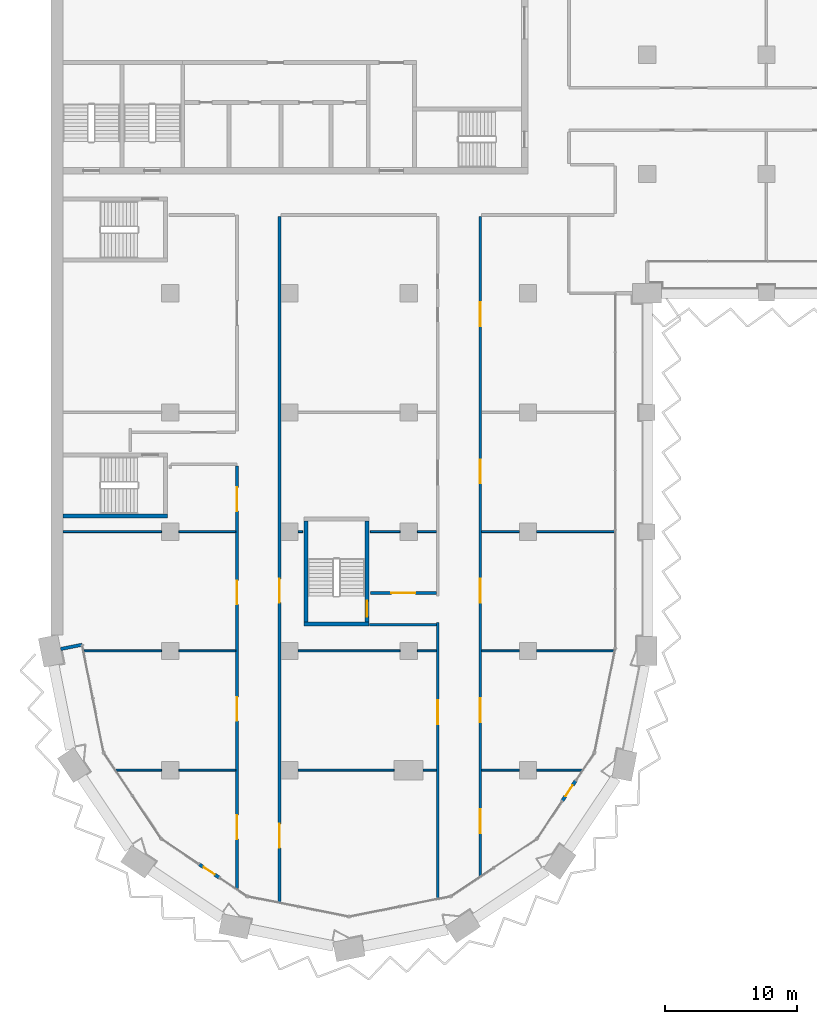
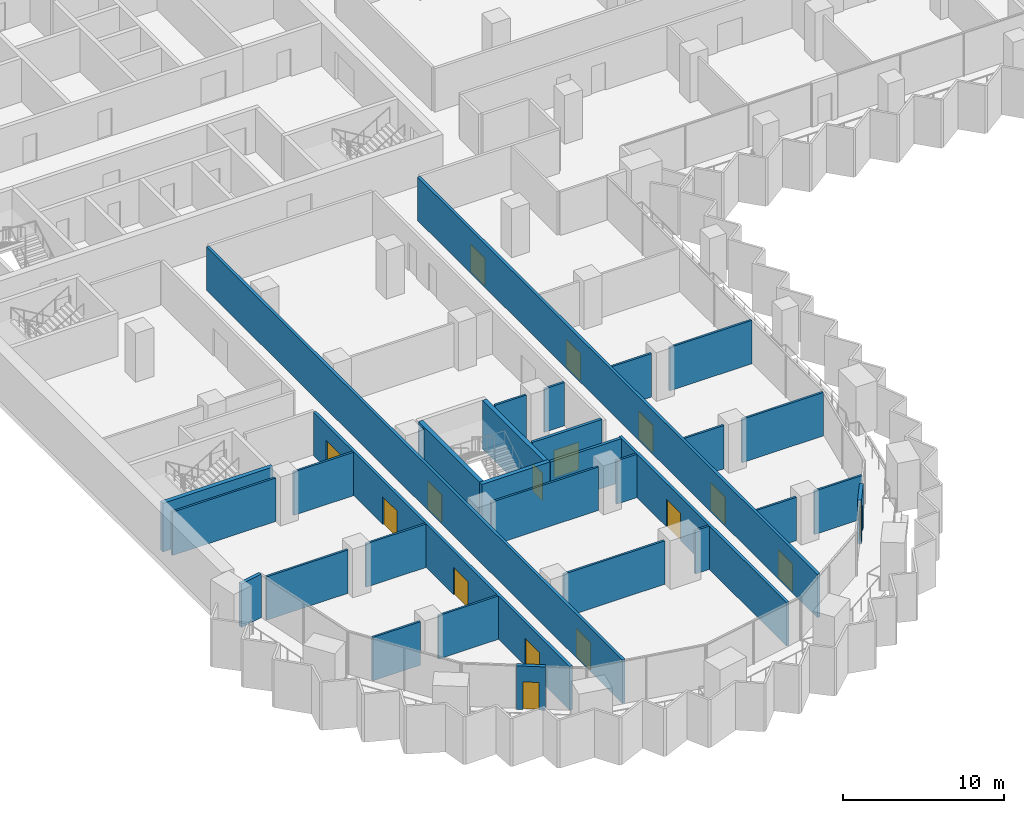
# One storey, part 9 of 22: 32 walls, 16 doors, 16 openings.
"""IFC4 building model written with IfcOpenShell, lengths in metres."""

from ifc_helpers import new_model, si_unit, direction, frame, frame_2d, origin, place, context, subcontext, project, spatial, rectangle, extrude, material, layer, layer_set, type_object, element, fill, save


model = new_model("IFC4")

# Units and contexts
model_context = context("Model", 3, precision=1e-05, world=origin(), true_north=direction((0.0, 1.0)))
body_context = subcontext(model_context, "Body", "Model", "MODEL_VIEW")
ifc_project = project(units=[si_unit("LENGTHUNIT", "METRE"), si_unit("AREAUNIT", "SQUARE_METRE"), si_unit("VOLUMEUNIT", "CUBIC_METRE"), si_unit("PLANEANGLEUNIT", "RADIAN"), si_unit("MASSUNIT", "GRAM", prefix="KILO")], contexts=[model_context])

# Site, building, storey
site_placement = place(None, origin())
site = spatial("IfcSite", under=ifc_project, at=site_placement, CompositionType="ELEMENT")
building_placement = place(site_placement, origin())
building = spatial("IfcBuilding", under=site, at=building_placement, Name="Hunhe Ridgeline Campus", CompositionType="ELEMENT")
storey_placement = place(building_placement, frame((0.0, 0.0, 118.10009765625)))
storey = spatial("IfcBuildingStorey", under=building, at=storey_placement, Name="L29", CompositionType="ELEMENT", Elevation=118.10009765625)

# Walls
ifc_material_1 = material(Name="Concrete C30", Category="concrete")
ifc_layer_1 = layer(ifc_material_1, 0.25)
ifc_layer_set_1 = layer_set([ifc_layer_1], Name="Corner return wall 250 Concrete C30")
wall_type_1 = type_object("IfcWallType", Name="Corner return wall 250 Concrete C30", PredefinedType="SOLIDWALL", material=ifc_layer_set_1)
wall_1_placement = place(storey_placement, frame((0.7353515625, 27.14697265625, 0.0), z_axis=(0.0, 0.0, 1.0), x_axis=(0.980824468215, 0.194893208067, 0.0)))
element("IfcWall", 1, at=wall_1_placement, inside=storey, type_object=wall_type_1, Name="Corner return wall 1", PredefinedType="SOLIDWALL", context=body_context, shape_type="SweptSolid", body=[
    extrude(rectangle(XDim=1.651123046875, YDim=0.25, at=frame_2d((0.82568359375, 0.0))), origin(), (0.0, 0.0, 1.0), 3.2998046875),
])
ifc_material_2 = material(Name="Gypsum board partition")
ifc_layer_2 = layer(ifc_material_2, 0.199951171875)
ifc_layer_set_2 = layer_set([ifc_layer_2], Name="Corridor partition 200 gypsum board on steel studs")
wall_type_2 = type_object("IfcWallType", Name="Corridor partition 200 gypsum board on steel studs", PredefinedType="PARTITIONING", material=ifc_layer_set_2)
wall_2_placement = place(storey_placement, frame((29.10009765625, 28.97509765625, 0.0), z_axis=(0.0, 0.0, 1.0), x_axis=(-1.0, 0.0, 0.0)))
element("IfcWall", 2, at=wall_2_placement, inside=storey, type_object=wall_type_2, Name="F-L29-wall-013", PredefinedType="PARTITIONING", context=body_context, shape_type="SweptSolid", body=[
    extrude(rectangle(XDim=5.070068359375, YDim=0.199951171875, at=frame_2d((2.53515625, 0.0))), origin(), (0.0, 0.0, 1.0), 3.2998046875),
])

# Wall, opening, door
wall_3_placement = place(storey_placement, frame((24.10400390625, 31.375, 0.0), z_axis=(0.0, 0.0, 1.0), x_axis=(1.0, 0.0, 0.0)))
wall_3 = element("IfcWall", 3, at=wall_3_placement, inside=storey, type_object=wall_type_2, Name="F-L29-wall-014", PredefinedType="PARTITIONING", context=body_context, shape_type="SweptSolid", body=[
    extrude(rectangle(XDim=4.99609375, YDim=0.199951171875, at=frame_2d((2.498046875, 0.0))), origin(), (0.0, 0.0, 1.0), 3.2998046875),
])
opening_1_placement = place(wall_3_placement, frame((1.597900390625, 0.0, 0.0)))
opening_1 = element("IfcOpeningElement", 4, at=opening_1_placement, cuts=wall_3, Name="Opening RD2-008", PredefinedType="OPENING", context=body_context, shape_type="SweptSolid", body=[
    extrude(rectangle(XDim=1.800048828125, YDim=2.10009765625, at=frame_2d((0.89990234375, 1.050048828125))), frame((0.0, 0.10009765625, 0.0), z_axis=(0.0, -1.0, 0.0), x_axis=(1.0, 0.0, 0.0)), (0.0, 0.0, 1.0), 0.199951171875),
])
ifc_material_3 = material(Name="Timber door leaf", Category="wood")
door_type_1 = type_object("IfcDoorType", Name="Double fire door 1800x2100 timber FD60", OperationType="DOUBLE_DOOR_SINGLE_SWING", PredefinedType="DOOR", material=ifc_material_3)
door_1_placement = place(opening_1_placement, origin())
door_1 = element("IfcDoor", 5, at=door_1_placement, inside=storey, type_object=door_type_1, Name="F-L29-door-008", OperationType="DOUBLE_DOOR_SINGLE_SWING", OverallHeight=2.10009765625, OverallWidth=1.800048828125, PredefinedType="DOOR", context=body_context, shape_type="SweptSolid", body=[
    extrude(rectangle(XDim=1.800048828125, YDim=2.10009765625, at=frame_2d((0.89990234375, 1.050048828125))), frame((0.0, 0.02490234375, 0.0), z_axis=(0.0, -1.0, 0.0), x_axis=(1.0, 0.0, 0.0)), (0.0, 0.0, 1.0), 0.050048828125),
])
fill(opening_1, door_1)

# Wall, openings, doors
wall_4_placement = place(storey_placement, frame((14.050048828125, 9.05810546875, 0.0), z_axis=(0.0, 0.0, 1.0), x_axis=(0.0, 1.0, 0.0)))
wall_4 = element("IfcWall", 6, at=wall_4_placement, inside=storey, type_object=wall_type_2, Name="F-L29-wall-043", PredefinedType="PARTITIONING", context=body_context, shape_type="SweptSolid", body=[
    extrude(rectangle(XDim=31.90087890625, YDim=0.199951171875, at=frame_2d((15.950439453125, 0.0))), origin(), (0.0, 0.0, 1.0), 3.2998046875),
])
opening_2_placement = place(wall_4_placement, frame((3.7470703125, 0.0, 0.0)))
opening_2 = element("IfcOpeningElement", 7, at=opening_2_placement, cuts=wall_4, Name="Opening RD2-002", PredefinedType="OPENING", context=body_context, shape_type="SweptSolid", body=[
    extrude(rectangle(XDim=1.800048828125, YDim=2.10009765625, at=frame_2d((0.89990234375, 1.050048828125))), frame((0.0, 0.10009765625, 0.0), z_axis=(0.0, -1.0, 0.0), x_axis=(1.0, 0.0, 0.0)), (0.0, 0.0, 1.0), 0.199951171875),
])
opening_3_placement = place(wall_4_placement, frame((12.6640625, 0.0, 0.0)))
opening_3 = element("IfcOpeningElement", 8, at=opening_3_placement, cuts=wall_4, Name="Opening RD2-006", PredefinedType="OPENING", context=body_context, shape_type="SweptSolid", body=[
    extrude(rectangle(XDim=1.800048828125, YDim=2.10009765625, at=frame_2d((0.89990234375, 1.050048828125))), frame((0.0, 0.10009765625, 0.0), z_axis=(0.0, -1.0, 0.0), x_axis=(1.0, 0.0, 0.0)), (0.0, 0.0, 1.0), 0.199951171875),
])
opening_4_placement = place(wall_4_placement, frame((21.455810546875, 0.0, 0.0)))
opening_4 = element("IfcOpeningElement", 9, at=opening_4_placement, cuts=wall_4, Name="Opening RD2-007", PredefinedType="OPENING", context=body_context, shape_type="SweptSolid", body=[
    extrude(rectangle(XDim=1.800048828125, YDim=2.10009765625, at=frame_2d((0.89990234375, 1.050048828125))), frame((0.0, 0.10009765625, 0.0), z_axis=(0.0, -1.0, 0.0), x_axis=(1.0, 0.0, 0.0)), (0.0, 0.0, 1.0), 0.199951171875),
])
opening_5_placement = place(wall_4_placement, frame((28.489013671875, 0.0, 0.0)))
opening_5 = element("IfcOpeningElement", 10, at=opening_5_placement, cuts=wall_4, Name="Opening RD2-011", PredefinedType="OPENING", context=body_context, shape_type="SweptSolid", body=[
    extrude(rectangle(XDim=1.800048828125, YDim=2.10009765625, at=frame_2d((0.89990234375, 1.050048828125))), frame((0.0, 0.10009765625, 0.0), z_axis=(0.0, -1.0, 0.0), x_axis=(1.0, 0.0, 0.0)), (0.0, 0.0, 1.0), 0.199951171875),
])
door_2_placement = place(opening_2_placement, origin())
door_2 = element("IfcDoor", 11, at=door_2_placement, inside=storey, type_object=door_type_1, Name="F-L29-door-002", OperationType="DOUBLE_DOOR_SINGLE_SWING", OverallHeight=2.10009765625, OverallWidth=1.800048828125, PredefinedType="DOOR", context=body_context, shape_type="SweptSolid", body=[
    extrude(rectangle(XDim=1.800048828125, YDim=2.10009765625, at=frame_2d((0.89990234375, 1.050048828125))), frame((0.0, 0.02490234375, 0.0), z_axis=(0.0, -1.0, 0.0), x_axis=(1.0, 0.0, 0.0)), (0.0, 0.0, 1.0), 0.050048828125),
])
fill(opening_2, door_2)
door_3_placement = place(opening_3_placement, origin())
door_3 = element("IfcDoor", 12, at=door_3_placement, inside=storey, type_object=door_type_1, Name="F-L29-door-006", OperationType="DOUBLE_DOOR_SINGLE_SWING", OverallHeight=2.10009765625, OverallWidth=1.800048828125, PredefinedType="DOOR", context=body_context, shape_type="SweptSolid", body=[
    extrude(rectangle(XDim=1.800048828125, YDim=2.10009765625, at=frame_2d((0.89990234375, 1.050048828125))), frame((0.0, 0.02490234375, 0.0), z_axis=(0.0, -1.0, 0.0), x_axis=(1.0, 0.0, 0.0)), (0.0, 0.0, 1.0), 0.050048828125),
])
fill(opening_3, door_3)
door_4_placement = place(opening_4_placement, origin())
door_4 = element("IfcDoor", 13, at=door_4_placement, inside=storey, type_object=door_type_1, Name="F-L29-door-007", OperationType="DOUBLE_DOOR_SINGLE_SWING", OverallHeight=2.10009765625, OverallWidth=1.800048828125, PredefinedType="DOOR", context=body_context, shape_type="SweptSolid", body=[
    extrude(rectangle(XDim=1.800048828125, YDim=2.10009765625, at=frame_2d((0.89990234375, 1.050048828125))), frame((0.0, 0.02490234375, 0.0), z_axis=(0.0, -1.0, 0.0), x_axis=(1.0, 0.0, 0.0)), (0.0, 0.0, 1.0), 0.050048828125),
])
fill(opening_4, door_4)
door_5_placement = place(opening_5_placement, origin())
door_5 = element("IfcDoor", 14, at=door_5_placement, inside=storey, type_object=door_type_1, Name="F-L29-door-011", OperationType="DOUBLE_DOOR_SINGLE_SWING", OverallHeight=2.10009765625, OverallWidth=1.800048828125, PredefinedType="DOOR", context=body_context, shape_type="SweptSolid", body=[
    extrude(rectangle(XDim=1.800048828125, YDim=2.10009765625, at=frame_2d((0.89990234375, 1.050048828125))), frame((0.0, 0.02490234375, 0.0), z_axis=(0.0, -1.0, 0.0), x_axis=(1.0, 0.0, 0.0)), (0.0, 0.0, 1.0), 0.050048828125),
])
fill(opening_5, door_5)

wall_5_placement = place(storey_placement, frame((17.25, 59.800048828125, 0.0), z_axis=(0.0, 0.0, 1.0), x_axis=(0.0, -1.0, 0.0)))
wall_5 = element("IfcWall", 15, at=wall_5_placement, inside=storey, type_object=wall_type_2, Name="F-L29-wall-045", PredefinedType="PARTITIONING", context=body_context, shape_type="SweptSolid", body=[
    extrude(rectangle(XDim=51.752685546875, YDim=0.199951171875, at=frame_2d((25.87646484375, 0.0))), origin(), (0.0, 0.0, 1.0), 3.2998046875),
])
opening_6_placement = place(wall_5_placement, frame((45.852294921875, 0.0, 0.0)))
opening_6 = element("IfcOpeningElement", 16, at=opening_6_placement, cuts=wall_5, Name="Opening RD2-001", PredefinedType="OPENING", context=body_context, shape_type="SweptSolid", body=[
    extrude(rectangle(XDim=1.800048828125, YDim=2.10009765625, at=frame_2d((0.89990234375, 1.050048828125))), frame((0.0, 0.10009765625, 0.0), z_axis=(0.0, -1.0, 0.0), x_axis=(1.0, 0.0, 0.0)), (0.0, 0.0, 1.0), 0.199951171875),
])
opening_7_placement = place(wall_5_placement, frame((27.351318359375, 0.0, 0.0)))
opening_7 = element("IfcOpeningElement", 17, at=opening_7_placement, cuts=wall_5, Name="Opening RD2-009", PredefinedType="OPENING", context=body_context, shape_type="SweptSolid", body=[
    extrude(rectangle(XDim=1.800048828125, YDim=2.10009765625, at=frame_2d((0.89990234375, 1.050048828125))), frame((0.0, 0.10009765625, 0.0), z_axis=(0.0, -1.0, 0.0), x_axis=(1.0, 0.0, 0.0)), (0.0, 0.0, 1.0), 0.199951171875),
])
door_6_placement = place(opening_6_placement, origin())
door_6 = element("IfcDoor", 18, at=door_6_placement, inside=storey, type_object=door_type_1, Name="F-L29-door-001", OperationType="DOUBLE_DOOR_SINGLE_SWING", OverallHeight=2.10009765625, OverallWidth=1.800048828125, PredefinedType="DOOR", context=body_context, shape_type="SweptSolid", body=[
    extrude(rectangle(XDim=1.800048828125, YDim=2.10009765625, at=frame_2d((0.89990234375, 1.050048828125))), frame((0.0, 0.02490234375, 0.0), z_axis=(0.0, -1.0, 0.0), x_axis=(1.0, 0.0, 0.0)), (0.0, 0.0, 1.0), 0.050048828125),
])
fill(opening_6, door_6)
door_7_placement = place(opening_7_placement, origin())
door_7 = element("IfcDoor", 19, at=door_7_placement, inside=storey, type_object=door_type_1, Name="F-L29-door-009", OperationType="DOUBLE_DOOR_SINGLE_SWING", OverallHeight=2.10009765625, OverallWidth=1.800048828125, PredefinedType="DOOR", context=body_context, shape_type="SweptSolid", body=[
    extrude(rectangle(XDim=1.800048828125, YDim=2.10009765625, at=frame_2d((0.89990234375, 1.050048828125))), frame((0.0, 0.02490234375, 0.0), z_axis=(0.0, -1.0, 0.0), x_axis=(1.0, 0.0, 0.0)), (0.0, 0.0, 1.0), 0.050048828125),
])
fill(opening_7, door_7)

# Wall, opening, door
wall_6_placement = place(storey_placement, frame((29.199951171875, 8.335693359375, 0.0), z_axis=(0.0, 0.0, 1.0), x_axis=(0.0, 1.0, 0.0)))
wall_6 = element("IfcWall", 20, at=wall_6_placement, inside=storey, type_object=wall_type_2, Name="F-L29-wall-046", PredefinedType="PARTITIONING", context=body_context, shape_type="SweptSolid", body=[
    extrude(rectangle(XDim=20.82421875, YDim=0.199951171875, at=frame_2d((10.412109375, 0.0))), origin(), (0.0, 0.0, 1.0), 3.2998046875),
])
opening_8_placement = place(wall_6_placement, frame((13.14990234375, 0.0, 0.0)))
opening_8 = element("IfcOpeningElement", 21, at=opening_8_placement, cuts=wall_6, Name="Opening RD2-004", PredefinedType="OPENING", context=body_context, shape_type="SweptSolid", body=[
    extrude(rectangle(XDim=1.800048828125, YDim=2.10009765625, at=frame_2d((0.89990234375, 1.050048828125))), frame((0.0, 0.10009765625, 0.0), z_axis=(0.0, -1.0, 0.0), x_axis=(1.0, 0.0, 0.0)), (0.0, 0.0, 1.0), 0.199951171875),
])
door_8_placement = place(opening_8_placement, origin())
door_8 = element("IfcDoor", 22, at=door_8_placement, inside=storey, type_object=door_type_1, Name="F-L29-door-004", OperationType="DOUBLE_DOOR_SINGLE_SWING", OverallHeight=2.10009765625, OverallWidth=1.800048828125, PredefinedType="DOOR", context=body_context, shape_type="SweptSolid", body=[
    extrude(rectangle(XDim=1.800048828125, YDim=2.10009765625, at=frame_2d((0.89990234375, 1.050048828125))), frame((0.0, 0.02490234375, 0.0), z_axis=(0.0, -1.0, 0.0), x_axis=(1.0, 0.0, 0.0)), (0.0, 0.0, 1.0), 0.050048828125),
])
fill(opening_8, door_8)

# Wall, openings, doors
wall_7_placement = place(storey_placement, frame((32.39990234375, 59.800048828125, 0.0), z_axis=(0.0, 0.0, 1.0), x_axis=(0.0, -1.0, 0.0)))
wall_7 = element("IfcWall", 23, at=wall_7_placement, inside=storey, type_object=wall_type_2, Name="F-L29-wall-048", PredefinedType="PARTITIONING", context=body_context, shape_type="SweptSolid", body=[
    extrude(rectangle(XDim=49.77294921875, YDim=0.199951171875, at=frame_2d((24.886474609375, 0.0))), origin(), (0.0, 0.0, 1.0), 3.2998046875),
])
opening_9_placement = place(wall_7_placement, frame((44.74609375, 0.0, 0.0)))
opening_9 = element("IfcOpeningElement", 24, at=opening_9_placement, cuts=wall_7, Name="Opening RD2-003", PredefinedType="OPENING", context=body_context, shape_type="SweptSolid", body=[
    extrude(rectangle(XDim=1.800048828125, YDim=2.10009765625, at=frame_2d((0.89990234375, 1.050048828125))), frame((0.0, 0.10009765625, 0.0), z_axis=(0.0, -1.0, 0.0), x_axis=(1.0, 0.0, 0.0)), (0.0, 0.0, 1.0), 0.199951171875),
])
opening_10_placement = place(wall_7_placement, frame((36.3671875, 0.0, 0.0)))
opening_10 = element("IfcOpeningElement", 25, at=opening_10_placement, cuts=wall_7, Name="Opening RD2-005", PredefinedType="OPENING", context=body_context, shape_type="SweptSolid", body=[
    extrude(rectangle(XDim=1.800048828125, YDim=2.10009765625, at=frame_2d((0.89990234375, 1.050048828125))), frame((0.0, 0.10009765625, 0.0), z_axis=(0.0, -1.0, 0.0), x_axis=(1.0, 0.0, 0.0)), (0.0, 0.0, 1.0), 0.199951171875),
])
opening_11_placement = place(wall_7_placement, frame((27.363037109375, 0.0, 0.0)))
opening_11 = element("IfcOpeningElement", 26, at=opening_11_placement, cuts=wall_7, Name="Opening RD2-010", PredefinedType="OPENING", context=body_context, shape_type="SweptSolid", body=[
    extrude(rectangle(XDim=1.800048828125, YDim=2.10009765625, at=frame_2d((0.89990234375, 1.050048828125))), frame((0.0, 0.10009765625, 0.0), z_axis=(0.0, -1.0, 0.0), x_axis=(1.0, 0.0, 0.0)), (0.0, 0.0, 1.0), 0.199951171875),
])
opening_12_placement = place(wall_7_placement, frame((18.35888671875, 0.0, 0.0)))
opening_12 = element("IfcOpeningElement", 27, at=opening_12_placement, cuts=wall_7, Name="Opening RD2-013", PredefinedType="OPENING", context=body_context, shape_type="SweptSolid", body=[
    extrude(rectangle(XDim=1.800048828125, YDim=2.10009765625, at=frame_2d((0.89990234375, 1.050048828125))), frame((0.0, 0.10009765625, 0.0), z_axis=(0.0, -1.0, 0.0), x_axis=(1.0, 0.0, 0.0)), (0.0, 0.0, 1.0), 0.199951171875),
])
opening_13_placement = place(wall_7_placement, frame((6.478515625, 0.0, 0.0)))
opening_13 = element("IfcOpeningElement", 28, at=opening_13_placement, cuts=wall_7, Name="Opening RD2-016", PredefinedType="OPENING", context=body_context, shape_type="SweptSolid", body=[
    extrude(rectangle(XDim=1.800048828125, YDim=2.10009765625, at=frame_2d((0.89990234375, 1.050048828125))), frame((0.0, 0.10009765625, 0.0), z_axis=(0.0, -1.0, 0.0), x_axis=(1.0, 0.0, 0.0)), (0.0, 0.0, 1.0), 0.199951171875),
])
door_9_placement = place(opening_9_placement, origin())
door_9 = element("IfcDoor", 29, at=door_9_placement, inside=storey, type_object=door_type_1, Name="F-L29-door-003", OperationType="DOUBLE_DOOR_SINGLE_SWING", OverallHeight=2.10009765625, OverallWidth=1.800048828125, PredefinedType="DOOR", context=body_context, shape_type="SweptSolid", body=[
    extrude(rectangle(XDim=1.800048828125, YDim=2.10009765625, at=frame_2d((0.89990234375, 1.050048828125))), frame((0.0, 0.02490234375, 0.0), z_axis=(0.0, -1.0, 0.0), x_axis=(1.0, 0.0, 0.0)), (0.0, 0.0, 1.0), 0.050048828125),
])
fill(opening_9, door_9)
door_10_placement = place(opening_10_placement, origin())
door_10 = element("IfcDoor", 30, at=door_10_placement, inside=storey, type_object=door_type_1, Name="F-L29-door-005", OperationType="DOUBLE_DOOR_SINGLE_SWING", OverallHeight=2.10009765625, OverallWidth=1.800048828125, PredefinedType="DOOR", context=body_context, shape_type="SweptSolid", body=[
    extrude(rectangle(XDim=1.800048828125, YDim=2.10009765625, at=frame_2d((0.89990234375, 1.050048828125))), frame((0.0, 0.02490234375, 0.0), z_axis=(0.0, -1.0, 0.0), x_axis=(1.0, 0.0, 0.0)), (0.0, 0.0, 1.0), 0.050048828125),
])
fill(opening_10, door_10)
door_11_placement = place(opening_11_placement, origin())
door_11 = element("IfcDoor", 31, at=door_11_placement, inside=storey, type_object=door_type_1, Name="F-L29-door-010", OperationType="DOUBLE_DOOR_SINGLE_SWING", OverallHeight=2.10009765625, OverallWidth=1.800048828125, PredefinedType="DOOR", context=body_context, shape_type="SweptSolid", body=[
    extrude(rectangle(XDim=1.800048828125, YDim=2.10009765625, at=frame_2d((0.89990234375, 1.050048828125))), frame((0.0, 0.02490234375, 0.0), z_axis=(0.0, -1.0, 0.0), x_axis=(1.0, 0.0, 0.0)), (0.0, 0.0, 1.0), 0.050048828125),
])
fill(opening_11, door_11)
door_12_placement = place(opening_12_placement, origin())
door_12 = element("IfcDoor", 32, at=door_12_placement, inside=storey, type_object=door_type_1, Name="F-L29-door-013", OperationType="DOUBLE_DOOR_SINGLE_SWING", OverallHeight=2.10009765625, OverallWidth=1.800048828125, PredefinedType="DOOR", context=body_context, shape_type="SweptSolid", body=[
    extrude(rectangle(XDim=1.800048828125, YDim=2.10009765625, at=frame_2d((0.89990234375, 1.050048828125))), frame((0.0, 0.02490234375, 0.0), z_axis=(0.0, -1.0, 0.0), x_axis=(1.0, 0.0, 0.0)), (0.0, 0.0, 1.0), 0.050048828125),
])
fill(opening_12, door_12)
door_13_placement = place(opening_13_placement, origin())
door_13 = element("IfcDoor", 33, at=door_13_placement, inside=storey, type_object=door_type_1, Name="F-L29-door-016", OperationType="DOUBLE_DOOR_SINGLE_SWING", OverallHeight=2.10009765625, OverallWidth=1.800048828125, PredefinedType="DOOR", context=body_context, shape_type="SweptSolid", body=[
    extrude(rectangle(XDim=1.800048828125, YDim=2.10009765625, at=frame_2d((0.89990234375, 1.050048828125))), frame((0.0, 0.02490234375, 0.0), z_axis=(0.0, -1.0, 0.0), x_axis=(1.0, 0.0, 0.0)), (0.0, 0.0, 1.0), 0.050048828125),
])
fill(opening_13, door_13)

# Wall, opening, door
ifc_layer_3 = layer(ifc_material_1, 0.25)
ifc_layer_set_3 = layer_set([ifc_layer_3], Name="Loggia door pier wall 250 Concrete C30")
wall_type_3 = type_object("IfcWallType", Name="Loggia door pier wall 250 Concrete C30", PredefinedType="SOLIDWALL", material=ifc_layer_set_3)
wall_8_placement = place(storey_placement, frame((11.19970703125, 10.897705078125, 0.0), z_axis=(0.0, 0.0, 1.0), x_axis=(0.83146554274, -0.555576323502, 0.0)))
wall_8 = element("IfcWall", 34, at=wall_8_placement, inside=storey, type_object=wall_type_3, Name="Loggia door pier 1", PredefinedType="SOLIDWALL", context=body_context, shape_type="SweptSolid", body=[
    extrude(rectangle(XDim=1.800048828125, YDim=0.25, at=frame_2d((0.89990234375, 0.0))), origin(), (0.0, 0.0, 1.0), 3.2998046875),
])
opening_14_placement = place(wall_8_placement, frame((0.39990234375, 0.0, 0.0)))
opening_14 = element("IfcOpeningElement", 35, at=opening_14_placement, cuts=wall_8, Name="Opening BD202", PredefinedType="OPENING", context=body_context, shape_type="SweptSolid", body=[
    extrude(rectangle(XDim=1.0, YDim=2.10009765625, at=frame_2d((0.5, 1.050048828125))), frame((0.0, 0.125, 0.0), z_axis=(0.0, -1.0, 0.0), x_axis=(1.0, 0.0, 0.0)), (0.0, 0.0, 1.0), 0.25),
])
ifc_material_4 = material(Name="Aluminium 6063", Category="aluminium")
door_type_2 = type_object("IfcDoorType", Name="Loggia glazed door 1000x2100", OperationType="NOTDEFINED", PredefinedType="DOOR", material=ifc_material_4)
door_14_placement = place(opening_14_placement, frame((1.0, 0.0, 0.0), z_axis=(0.0, 0.0, 1.0), x_axis=(-1.0, 0.0, 0.0)))
door_14 = element("IfcDoor", 36, at=door_14_placement, inside=storey, type_object=door_type_2, Name="Loggia door BD202", OperationType="SINGLE_SWING_LEFT", OverallHeight=2.10009765625, OverallWidth=1.0, PredefinedType="DOOR", context=body_context, shape_type="SweptSolid", body=[
    extrude(rectangle(XDim=1.0, YDim=2.10009765625, at=frame_2d((0.5, 1.050048828125))), frame((0.0, 0.02490234375, 0.0), z_axis=(0.0, -1.0, 0.0), x_axis=(1.0, 0.0, 0.0)), (0.0, 0.0, 1.0), 0.050048828125),
])
fill(opening_14, door_14)

wall_9_placement = place(storey_placement, frame((38.602294921875, 15.69970703125, 0.0), z_axis=(0.0, 0.0, 1.0), x_axis=(0.555576323502, 0.83146554274, 0.0)))
wall_9 = element("IfcWall", 37, at=wall_9_placement, inside=storey, type_object=wall_type_3, Name="Loggia door pier 2", PredefinedType="SOLIDWALL", context=body_context, shape_type="SweptSolid", body=[
    extrude(rectangle(XDim=1.800048828125, YDim=0.25, at=frame_2d((0.89990234375, 0.0))), origin(), (0.0, 0.0, 1.0), 3.2998046875),
])
opening_15_placement = place(wall_9_placement, frame((0.39990234375, 0.0, 0.0)))
opening_15 = element("IfcOpeningElement", 38, at=opening_15_placement, cuts=wall_9, Name="Opening BD204", PredefinedType="OPENING", context=body_context, shape_type="SweptSolid", body=[
    extrude(rectangle(XDim=1.0, YDim=2.10009765625, at=frame_2d((0.5, 1.050048828125))), frame((0.0, 0.125, 0.0), z_axis=(0.0, -1.0, 0.0), x_axis=(1.0, 0.0, 0.0)), (0.0, 0.0, 1.0), 0.25),
])
door_15_placement = place(opening_15_placement, frame((1.0, 0.0, 0.0), z_axis=(0.0, 0.0, 1.0), x_axis=(-1.0, 0.0, 0.0)))
door_15 = element("IfcDoor", 39, at=door_15_placement, inside=storey, type_object=door_type_2, Name="Loggia door BD204", OperationType="SINGLE_SWING_LEFT", OverallHeight=2.10009765625, OverallWidth=1.0, PredefinedType="DOOR", context=body_context, shape_type="SweptSolid", body=[
    extrude(rectangle(XDim=1.0, YDim=2.10009765625, at=frame_2d((0.5, 1.050048828125))), frame((0.0, 0.02490234375, 0.0), z_axis=(0.0, -1.0, 0.0), x_axis=(1.0, 0.0, 0.0)), (0.0, 0.0, 1.0), 0.050048828125),
])
fill(opening_15, door_15)

# Walls
ifc_layer_4 = layer(ifc_material_2, 0.14990234375)
ifc_layer_set_4 = layer_set([ifc_layer_4], Name="Room partition 150 gypsum board on steel studs")
wall_type_4 = type_object("IfcWallType", Name="Room partition 150 gypsum board on steel studs", PredefinedType="PARTITIONING", material=ifc_layer_set_4)
wall_10_placement = place(storey_placement, frame((4.925537109375, 18.0, 0.0), z_axis=(0.0, 0.0, 1.0), x_axis=(1.0, 0.0, 0.0)))
element("IfcWall", 40, at=wall_10_placement, inside=storey, type_object=wall_type_4, Name="F-L29-wall-001", PredefinedType="PARTITIONING", context=body_context, shape_type="SweptSolid", body=[
    extrude(rectangle(XDim=3.424560546875, YDim=0.14990234375, at=frame_2d((1.71240234375, 0.0))), origin(), (0.0, 0.0, 1.0), 3.2998046875),
])
wall_11_placement = place(storey_placement, frame((9.64990234375, 18.0, 0.0), z_axis=(0.0, 0.0, 1.0), x_axis=(1.0, 0.0, 0.0)))
element("IfcWall", 41, at=wall_11_placement, inside=storey, type_object=wall_type_4, Name="F-L29-wall-002", PredefinedType="PARTITIONING", context=body_context, shape_type="SweptSolid", body=[
    extrude(rectangle(XDim=4.300048828125, YDim=0.14990234375, at=frame_2d((2.14990234375, 0.0))), origin(), (0.0, 0.0, 1.0), 3.2998046875),
])
wall_12_placement = place(storey_placement, frame((18.64990234375, 18.0, 0.0), z_axis=(0.0, 0.0, 1.0), x_axis=(1.0, 0.0, 0.0)))
element("IfcWall", 42, at=wall_12_placement, inside=storey, type_object=wall_type_4, Name="F-L29-wall-003", PredefinedType="PARTITIONING", context=body_context, shape_type="SweptSolid", body=[
    extrude(rectangle(XDim=7.25, YDim=0.14990234375, at=frame_2d((3.625, 0.0))), origin(), (0.0, 0.0, 1.0), 3.2998046875),
])
wall_13_placement = place(storey_placement, frame((28.10009765625, 18.0, 0.0), z_axis=(0.0, 0.0, 1.0), x_axis=(1.0, 0.0, 0.0)))
element("IfcWall", 43, at=wall_13_placement, inside=storey, type_object=wall_type_4, Name="F-L29-wall-004", PredefinedType="PARTITIONING", context=body_context, shape_type="SweptSolid", body=[
    extrude(rectangle(XDim=1.0, YDim=0.14990234375, at=frame_2d((0.5, 0.0))), origin(), (0.0, 0.0, 1.0), 3.2998046875),
])
wall_14_placement = place(storey_placement, frame((32.5, 18.0, 0.0), z_axis=(0.0, 0.0, 1.0), x_axis=(1.0, 0.0, 0.0)))
element("IfcWall", 44, at=wall_14_placement, inside=storey, type_object=wall_type_4, Name="F-L29-wall-005", PredefinedType="PARTITIONING", context=body_context, shape_type="SweptSolid", body=[
    extrude(rectangle(XDim=2.85009765625, YDim=0.14990234375, at=frame_2d((1.425048828125, 0.0))), origin(), (0.0, 0.0, 1.0), 3.2998046875),
])
wall_15_placement = place(storey_placement, frame((36.64990234375, 18.0, 0.0), z_axis=(0.0, 0.0, 1.0), x_axis=(1.0, 0.0, 0.0)))
element("IfcWall", 45, at=wall_15_placement, inside=storey, type_object=wall_type_4, Name="F-L29-wall-006", PredefinedType="PARTITIONING", context=body_context, shape_type="SweptSolid", body=[
    extrude(rectangle(XDim=3.424560546875, YDim=0.14990234375, at=frame_2d((1.71240234375, 0.0))), origin(), (0.0, 0.0, 1.0), 3.2998046875),
])
wall_16_placement = place(storey_placement, frame((2.503173828125, 27.0, 0.0), z_axis=(0.0, 0.0, 1.0), x_axis=(1.0, 0.0, 0.0)))
element("IfcWall", 46, at=wall_16_placement, inside=storey, type_object=wall_type_4, Name="F-L29-wall-007", PredefinedType="PARTITIONING", context=body_context, shape_type="SweptSolid", body=[
    extrude(rectangle(XDim=5.846923828125, YDim=0.14990234375, at=frame_2d((2.92333984375, 0.0))), origin(), (0.0, 0.0, 1.0), 3.2998046875),
])
wall_17_placement = place(storey_placement, frame((9.64990234375, 27.0, 0.0), z_axis=(0.0, 0.0, 1.0), x_axis=(1.0, 0.0, 0.0)))
element("IfcWall", 47, at=wall_17_placement, inside=storey, type_object=wall_type_4, Name="F-L29-wall-008", PredefinedType="PARTITIONING", context=body_context, shape_type="SweptSolid", body=[
    extrude(rectangle(XDim=4.300048828125, YDim=0.14990234375, at=frame_2d((2.14990234375, 0.0))), origin(), (0.0, 0.0, 1.0), 3.2998046875),
])
wall_18_placement = place(storey_placement, frame((18.64990234375, 27.0, 0.0), z_axis=(0.0, 0.0, 1.0), x_axis=(1.0, 0.0, 0.0)))
element("IfcWall", 48, at=wall_18_placement, inside=storey, type_object=wall_type_4, Name="F-L29-wall-009", PredefinedType="PARTITIONING", context=body_context, shape_type="SweptSolid", body=[
    extrude(rectangle(XDim=7.7001953125, YDim=0.14990234375, at=frame_2d((3.85009765625, 0.0))), origin(), (0.0, 0.0, 1.0), 3.2998046875),
])
wall_19_placement = place(storey_placement, frame((27.64990234375, 27.0, 0.0), z_axis=(0.0, 0.0, 1.0), x_axis=(1.0, 0.0, 0.0)))
element("IfcWall", 49, at=wall_19_placement, inside=storey, type_object=wall_type_4, Name="F-L29-wall-010", PredefinedType="PARTITIONING", context=body_context, shape_type="SweptSolid", body=[
    extrude(rectangle(XDim=1.4501953125, YDim=0.14990234375, at=frame_2d((0.72509765625, 0.0))), origin(), (0.0, 0.0, 1.0), 3.2998046875),
])
wall_20_placement = place(storey_placement, frame((32.5, 27.0, 0.0), z_axis=(0.0, 0.0, 1.0), x_axis=(1.0, 0.0, 0.0)))
element("IfcWall", 50, at=wall_20_placement, inside=storey, type_object=wall_type_4, Name="F-L29-wall-011", PredefinedType="PARTITIONING", context=body_context, shape_type="SweptSolid", body=[
    extrude(rectangle(XDim=2.85009765625, YDim=0.14990234375, at=frame_2d((1.425048828125, 0.0))), origin(), (0.0, 0.0, 1.0), 3.2998046875),
])
wall_21_placement = place(storey_placement, frame((36.64990234375, 27.0, 0.0), z_axis=(0.0, 0.0, 1.0), x_axis=(1.0, 0.0, 0.0)))
element("IfcWall", 51, at=wall_21_placement, inside=storey, type_object=wall_type_4, Name="F-L29-wall-012", PredefinedType="PARTITIONING", context=body_context, shape_type="SweptSolid", body=[
    extrude(rectangle(XDim=5.846923828125, YDim=0.14990234375, at=frame_2d((2.92333984375, 0.0))), origin(), (0.0, 0.0, 1.0), 3.2998046875),
])
wall_22_placement = place(storey_placement, frame((0.919921875, 36.0, 0.0), z_axis=(0.0, 0.0, 1.0), x_axis=(1.0, 0.0, 0.0)))
element("IfcWall", 52, at=wall_22_placement, inside=storey, type_object=wall_type_4, Name="F-L29-wall-015", PredefinedType="PARTITIONING", context=body_context, shape_type="SweptSolid", body=[
    extrude(rectangle(XDim=7.43017578125, YDim=0.14990234375, at=frame_2d((3.715087890625, 0.0))), origin(), (0.0, 0.0, 1.0), 3.2998046875),
])
wall_23_placement = place(storey_placement, frame((9.64990234375, 36.0, 0.0), z_axis=(0.0, 0.0, 1.0), x_axis=(1.0, 0.0, 0.0)))
element("IfcWall", 53, at=wall_23_placement, inside=storey, type_object=wall_type_4, Name="F-L29-wall-016", PredefinedType="PARTITIONING", context=body_context, shape_type="SweptSolid", body=[
    extrude(rectangle(XDim=4.300048828125, YDim=0.14990234375, at=frame_2d((2.14990234375, 0.0))), origin(), (0.0, 0.0, 1.0), 3.2998046875),
])
wall_24_placement = place(storey_placement, frame((18.64990234375, 36.0, 0.0), z_axis=(0.0, 0.0, 1.0), x_axis=(1.0, 0.0, 0.0)))
element("IfcWall", 54, at=wall_24_placement, inside=storey, type_object=wall_type_4, Name="F-L29-wall-017", PredefinedType="PARTITIONING", context=body_context, shape_type="SweptSolid", body=[
    extrude(rectangle(XDim=0.34619140625, YDim=0.14990234375, at=frame_2d((0.173095703125, 0.0))), origin(), (0.0, 0.0, 1.0), 3.2998046875),
])
wall_25_placement = place(storey_placement, frame((24.10400390625, 36.0, 0.0), z_axis=(0.0, 0.0, 1.0), x_axis=(1.0, 0.0, 0.0)))
element("IfcWall", 55, at=wall_25_placement, inside=storey, type_object=wall_type_4, Name="F-L29-wall-018", PredefinedType="PARTITIONING", context=body_context, shape_type="SweptSolid", body=[
    extrude(rectangle(XDim=2.24609375, YDim=0.14990234375, at=frame_2d((1.123046875, 0.0))), origin(), (0.0, 0.0, 1.0), 3.2998046875),
])
wall_26_placement = place(storey_placement, frame((27.64990234375, 36.0, 0.0), z_axis=(0.0, 0.0, 1.0), x_axis=(1.0, 0.0, 0.0)))
element("IfcWall", 56, at=wall_26_placement, inside=storey, type_object=wall_type_4, Name="F-L29-wall-019", PredefinedType="PARTITIONING", context=body_context, shape_type="SweptSolid", body=[
    extrude(rectangle(XDim=1.4501953125, YDim=0.14990234375, at=frame_2d((0.72509765625, 0.0))), origin(), (0.0, 0.0, 1.0), 3.2998046875),
])
wall_27_placement = place(storey_placement, frame((32.5, 36.0, 0.0), z_axis=(0.0, 0.0, 1.0), x_axis=(1.0, 0.0, 0.0)))
element("IfcWall", 57, at=wall_27_placement, inside=storey, type_object=wall_type_4, Name="F-L29-wall-020", PredefinedType="PARTITIONING", context=body_context, shape_type="SweptSolid", body=[
    extrude(rectangle(XDim=2.85009765625, YDim=0.14990234375, at=frame_2d((1.425048828125, 0.0))), origin(), (0.0, 0.0, 1.0), 3.2998046875),
])
wall_28_placement = place(storey_placement, frame((36.64990234375, 36.0, 0.0), z_axis=(0.0, 0.0, 1.0), x_axis=(1.0, 0.0, 0.0)))
element("IfcWall", 58, at=wall_28_placement, inside=storey, type_object=wall_type_4, Name="F-L29-wall-021", PredefinedType="PARTITIONING", context=body_context, shape_type="SweptSolid", body=[
    extrude(rectangle(XDim=5.895263671875, YDim=0.14990234375, at=frame_2d((2.94775390625, 0.0))), origin(), (0.0, 0.0, 1.0), 3.2998046875),
])
ifc_material_5 = material(Name="Concrete C80", Category="concrete")
ifc_layer_5 = layer(ifc_material_5, 0.300048828125)
ifc_layer_set_5 = layer_set([ifc_layer_5], Name="Stair wall 300 reinforced concrete C80")
wall_type_5 = type_object("IfcWallType", Name="Stair wall 300 reinforced concrete C80", PredefinedType="SOLIDWALL", material=ifc_layer_set_5)
wall_29_placement = place(storey_placement, frame((19.10009765625, 29.050048828125, -0.400146484375), z_axis=(0.0, 0.0, 1.0), x_axis=(1.0, 0.0, 0.0)))
element("IfcWall", 59, at=wall_29_placement, inside=storey, type_object=wall_type_5, Name="L29 core wall 1", PredefinedType="SOLIDWALL", context=body_context, shape_type="SweptSolid", body=[
    extrude(rectangle(XDim=4.89990234375, YDim=0.300048828125, at=frame_2d((2.449951171875, 0.0))), origin(), (0.0, 0.0, 1.0), 3.699951171875),
])
wall_30_placement = place(storey_placement, frame((0.89990234375, 37.199951171875, -0.400146484375), z_axis=(0.0, 0.0, 1.0), x_axis=(1.0, 0.0, 0.0)))
element("IfcWall", 60, at=wall_30_placement, inside=storey, type_object=wall_type_5, Name="L29 core wall 3", PredefinedType="SOLIDWALL", context=body_context, shape_type="SweptSolid", body=[
    extrude(rectangle(XDim=7.900146484375, YDim=0.300048828125, at=frame_2d((3.9501953125, 0.0))), origin(), (0.0, 0.0, 1.0), 3.699951171875),
])
wall_31_placement = place(storey_placement, frame((19.25, 29.199951171875, -0.400146484375), z_axis=(0.0, 0.0, 1.0), x_axis=(0.0, 1.0, 0.0)))
element("IfcWall", 61, at=wall_31_placement, inside=storey, type_object=wall_type_5, Name="L29 core wall 48", PredefinedType="SOLIDWALL", context=body_context, shape_type="SweptSolid", body=[
    extrude(rectangle(XDim=7.60009765625, YDim=0.300048828125, at=frame_2d((3.800048828125, 0.0))), origin(), (0.0, 0.0, 1.0), 3.699951171875),
])

# Wall, opening, door
wall_32_placement = place(storey_placement, frame((23.85009765625, 29.199951171875, -0.400146484375), z_axis=(0.0, 0.0, 1.0), x_axis=(0.0, 1.0, 0.0)))
wall_32 = element("IfcWall", 62, at=wall_32_placement, inside=storey, type_object=wall_type_5, Name="L29 core wall 53", PredefinedType="SOLIDWALL", context=body_context, shape_type="SweptSolid", body=[
    extrude(rectangle(XDim=7.60009765625, YDim=0.300048828125, at=frame_2d((3.800048828125, 0.0))), origin(), (0.0, 0.0, 1.0), 3.699951171875),
])
opening_16_placement = place(wall_32_placement, frame((0.375, 0.0, 0.39990234375)))
opening_16 = element("IfcOpeningElement", 63, at=opening_16_placement, cuts=wall_32, Name="Opening CD23", PredefinedType="OPENING", context=body_context, shape_type="SweptSolid", body=[
    extrude(rectangle(XDim=1.199951171875, YDim=2.10009765625, at=frame_2d((0.60009765625, 1.050048828125))), frame((0.0, 0.14990234375, 0.0), z_axis=(0.0, -1.0, 0.0), x_axis=(1.0, 0.0, 0.0)), (0.0, 0.0, 1.0), 0.300048828125),
])
ifc_material_6 = material(Name="Hollow metal fire door leaf")
door_type_3 = type_object("IfcDoorType", Name="Stair door 1200x2100 FD60", OperationType="SINGLE_SWING_LEFT", PredefinedType="DOOR", material=ifc_material_6)
door_16_placement = place(opening_16_placement, frame((1.199951171875, 0.0, 0.0), z_axis=(0.0, 0.0, 1.0), x_axis=(-1.0, 0.0, 0.0)))
door_16 = element("IfcDoor", 64, at=door_16_placement, inside=storey, type_object=door_type_3, Name="L29 door W3", OperationType="SINGLE_SWING_LEFT", OverallHeight=2.10009765625, OverallWidth=1.199951171875, PredefinedType="DOOR", context=body_context, shape_type="SweptSolid", body=[
    extrude(rectangle(XDim=1.199951171875, YDim=2.10009765625, at=frame_2d((0.60009765625, 1.050048828125))), frame((0.0, 0.02490234375, 0.0), z_axis=(0.0, -1.0, 0.0), x_axis=(1.0, 0.0, 0.0)), (0.0, 0.0, 1.0), 0.050048828125),
])
fill(opening_16, door_16)

save(model, "model.ifc")
